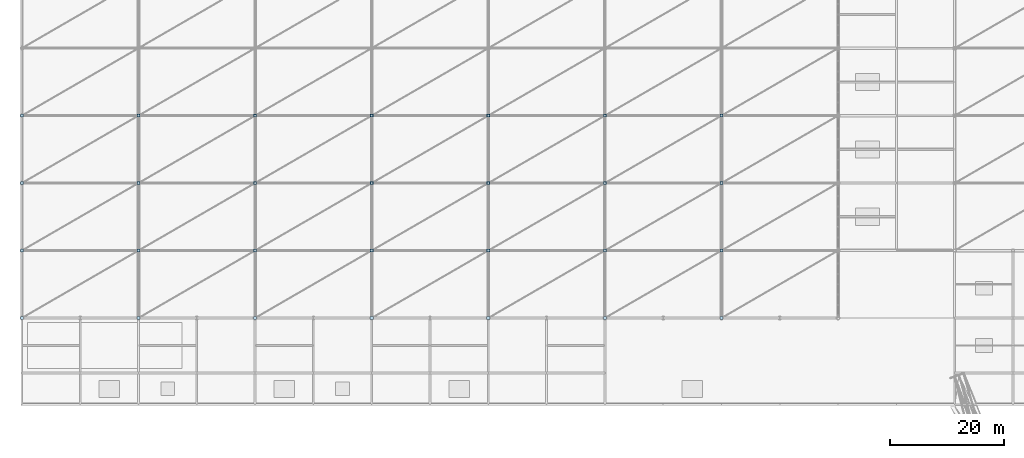
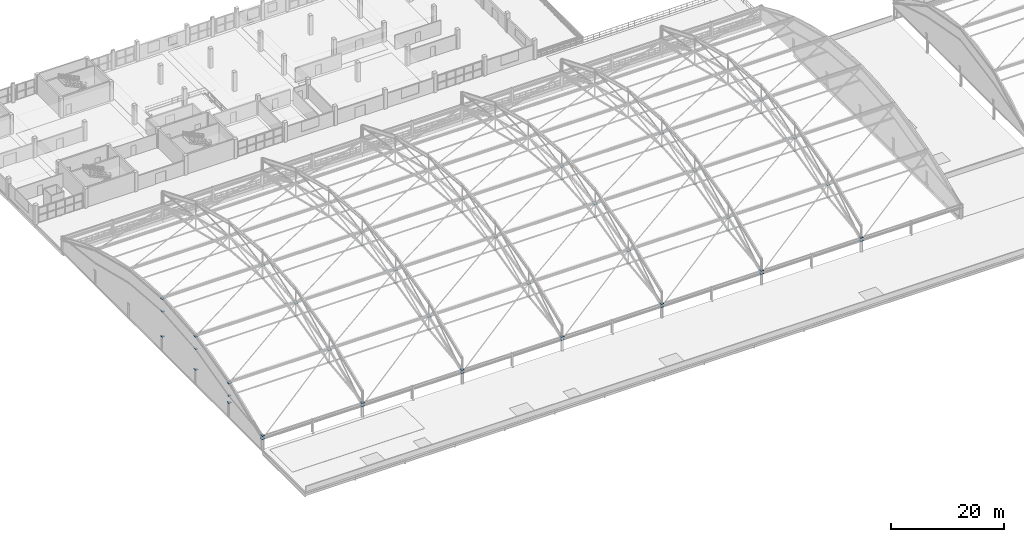
# One storey, part 117 of 135: 59 plates.
"""IFC4 building model written with IfcOpenShell, lengths in metres."""

from ifc_helpers import new_model, si_unit, direction, frame, origin, origin_2d, place, context, subcontext, project, spatial, rectangle, extrude, material, layer, layer_set, type_object, element, save


model = new_model("IFC4")

# Units and contexts
model_context = context("Model", 3, precision=1e-05, world=origin(), true_north=direction((0.0, 1.0)))
body_context = subcontext(model_context, "Body", "Model", "MODEL_VIEW")
ifc_project = project(units=[si_unit("LENGTHUNIT", "METRE"), si_unit("AREAUNIT", "SQUARE_METRE"), si_unit("VOLUMEUNIT", "CUBIC_METRE"), si_unit("PLANEANGLEUNIT", "RADIAN"), si_unit("MASSUNIT", "GRAM", prefix="KILO")], contexts=[model_context])

# Site, building, storey
site_placement = place(None, origin())
site = spatial("IfcSite", under=ifc_project, at=site_placement, CompositionType="ELEMENT")
building_placement = place(site_placement, origin())
building = spatial("IfcBuilding", under=site, at=building_placement, Name="Brelvane Convention Centre", CompositionType="ELEMENT")
storey_placement = place(building_placement, frame((0.0, 0.0, 15.0)))
storey = spatial("IfcBuildingStorey", under=building, at=storey_placement, Name="L03", CompositionType="ELEMENT", Elevation=15.0)

# Plates
ifc_material_1 = material(Name="Steel E450 (450 MPa)", Category="steel")
ifc_layer_1 = layer(ifc_material_1, 0.031982421875)
ifc_layer_set_1 = layer_set([ifc_layer_1], Name="Steel E450 (450 MPa)")
plate_type_1 = type_object("IfcPlateType", Name="Steel Node Gusset Plate ND-1", PredefinedType="SHEET", material=ifc_layer_set_1)
for number, where, z_axis, x_axis, name in (
    (1, (0.0, 28.800048828125, 2.98388671875), (0.0, 0.0, 1.0), (1.0, 0.0, 0.0), "Column Head Node Plate 1-D"),
    (2, (0.0, 40.60009765625, 2.98388671875), (0.0, 0.0, 1.0), (1.0, 0.0, 0.0), "Column Head Node Plate 1-E"),
    (3, (0.0, 52.39990234375, 2.98388671875), (0.0, 0.0, 1.0), (1.0, 0.0, 0.0), "Column Head Node Plate 1-F"),
    (4, (0.0, 64.199951171875, 2.98388671875), (0.0, 0.0, 1.0), (1.0, 0.0, 0.0), "Column Head Node Plate 1-G"),
    (5, (20.39990234375, 28.800048828125, 2.98388671875), (0.0, 0.0, 1.0), (1.0, 0.0, 0.0), "Column Head Node Plate 3-D"),
    (6, (40.800048828125, 28.800048828125, 2.98388671875), (0.0, 0.0, 1.0), (1.0, 0.0, 0.0), "Column Head Node Plate 5-D"),
    (7, (61.199951171875, 28.800048828125, 2.98388671875), (0.0, 0.0, 1.0), (1.0, 0.0, 0.0), "Column Head Node Plate 7-D"),
    (8, (81.60009765625, 28.800048828125, 2.98388671875), (0.0, 0.0, 1.0), (1.0, 0.0, 0.0), "Column Head Node Plate 9-D"),
    (9, (102.0, 28.800048828125, 2.98388671875), (0.0, 0.0, 1.0), (1.0, 0.0, 0.0), "Column Head Node Plate 11-D"),
    (10, (122.39990234375, 28.800048828125, 2.98388671875), (0.0, 0.0, 1.0), (1.0, 0.0, 0.0), "Column Head Node Plate 13-D"),
    (11, (0.0, 40.60009765625, 7.212890625), (0.0, 0.0, 1.0), (1.0, 0.0, 0.0), "SF_EXH Top Node Plate 1.1"),
    (12, (0.0, 52.39990234375, 10.14599609375), (0.0, 0.0, 1.0), (1.0, 0.0, 0.0), "SF_EXH Top Node Plate 1.2"),
    (13, (0.0, 64.199951171875, 11.1240234375), (0.0, 0.0, 1.0), (1.0, 0.0, 0.0), "SF_EXH Top Node Plate 1.3"),
    (14, (0.0, 28.800048828125, 2.32421875), (0.0, 0.0, 1.0), (1.0, 0.0, 0.0), "SF_EXH Eaves Node Plate 1-S"),
    (15, (20.39990234375, 40.60009765625, 7.212890625), (0.0, 0.0, 1.0), (1.0, 0.0, 0.0), "SF_EXH Top Node Plate 2.1"),
    (16, (20.39990234375, 52.39990234375, 10.14599609375), (0.0, 0.0, 1.0), (1.0, 0.0, 0.0), "SF_EXH Top Node Plate 2.2"),
    (17, (20.39990234375, 64.199951171875, 11.1240234375), (0.0, 0.0, 1.0), (1.0, 0.0, 0.0), "SF_EXH Top Node Plate 2.3"),
    (18, (20.39990234375, 28.800048828125, 2.32421875), (0.0, 0.0, 1.0), (1.0, 0.0, 0.0), "SF_EXH Eaves Node Plate 2-S"),
    (19, (40.800048828125, 40.60009765625, 7.212890625), (0.0, 0.0, 1.0), (1.0, 0.0, 0.0), "SF_EXH Top Node Plate 3.1"),
    (20, (40.800048828125, 52.39990234375, 10.14599609375), (0.0, 0.0, 1.0), (1.0, 0.0, 0.0), "SF_EXH Top Node Plate 3.2"),
    (21, (40.800048828125, 64.199951171875, 11.1240234375), (0.0, 0.0, 1.0), (1.0, 0.0, 0.0), "SF_EXH Top Node Plate 3.3"),
    (22, (40.800048828125, 28.800048828125, 2.32421875), (0.0, 0.0, 1.0), (1.0, 0.0, 0.0), "SF_EXH Eaves Node Plate 3-S"),
    (23, (61.199951171875, 40.60009765625, 7.212890625), (0.0, 0.0, 1.0), (1.0, 0.0, 0.0), "SF_EXH Top Node Plate 4.1"),
    (24, (61.199951171875, 52.39990234375, 10.14599609375), (0.0, 0.0, 1.0), (1.0, 0.0, 0.0), "SF_EXH Top Node Plate 4.2"),
    (25, (61.199951171875, 64.199951171875, 11.1240234375), (0.0, 0.0, 1.0), (1.0, 0.0, 0.0), "SF_EXH Top Node Plate 4.3"),
    (26, (61.199951171875, 28.800048828125, 2.32421875), (0.0, 0.0, 1.0), (1.0, 0.0, 0.0), "SF_EXH Eaves Node Plate 4-S"),
    (27, (81.60009765625, 40.60009765625, 7.212890625), (0.0, 0.0, 1.0), (1.0, 0.0, 0.0), "SF_EXH Top Node Plate 5.1"),
    (28, (81.60009765625, 52.39990234375, 10.14599609375), (0.0, 0.0, 1.0), (1.0, 0.0, 0.0), "SF_EXH Top Node Plate 5.2"),
    (29, (81.60009765625, 64.199951171875, 11.1240234375), (0.0, 0.0, 1.0), (1.0, 0.0, 0.0), "SF_EXH Top Node Plate 5.3"),
    (30, (81.60009765625, 28.800048828125, 2.32421875), (0.0, 0.0, 1.0), (1.0, 0.0, 0.0), "SF_EXH Eaves Node Plate 5-S"),
    (31, (102.0, 40.60009765625, 7.212890625), (0.0, 0.0, 1.0), (1.0, 0.0, 0.0), "SF_EXH Top Node Plate 6.1"),
    (32, (102.0, 52.39990234375, 10.14599609375), (0.0, 0.0, 1.0), (1.0, 0.0, 0.0), "SF_EXH Top Node Plate 6.2"),
    (33, (102.0, 64.199951171875, 11.1240234375), (0.0, 0.0, 1.0), (1.0, 0.0, 0.0), "SF_EXH Top Node Plate 6.3"),
    (34, (102.0, 28.800048828125, 2.32421875), (0.0, 0.0, 1.0), (1.0, 0.0, 0.0), "SF_EXH Eaves Node Plate 6-S"),
    (35, (122.39990234375, 40.60009765625, 7.212890625), (0.0, 0.0, 1.0), (1.0, 0.0, 0.0), "SF_EXH Top Node Plate 7.1"),
    (36, (122.39990234375, 52.39990234375, 10.14599609375), (0.0, 0.0, 1.0), (1.0, 0.0, 0.0), "SF_EXH Top Node Plate 7.2"),
    (37, (122.39990234375, 64.199951171875, 11.1240234375), (0.0, 0.0, 1.0), (1.0, 0.0, 0.0), "SF_EXH Top Node Plate 7.3"),
    (38, (122.39990234375, 28.800048828125, 2.32421875), (0.0, 0.0, 1.0), (1.0, 0.0, 0.0), "SF_EXH Eaves Node Plate 7-S"),
):
    element("IfcPlate", number, at=place(storey_placement, frame(where, z_axis=z_axis, x_axis=x_axis)), inside=storey, type_object=plate_type_1, Name=name, PredefinedType="SHEET", context=body_context, shape_type="SweptSolid", body=[
        extrude(rectangle(XDim=0.56005859375, YDim=0.56005859375, at=origin_2d()), origin(), (0.0, 0.0, 1.0), 0.031982421875),
    ])
ifc_material_2 = material(Name="Steel E450 (450 MPa)", Category="steel")
ifc_layer_2 = layer(ifc_material_2, 0.028076171875)
ifc_layer_set_2 = layer_set([ifc_layer_2], Name="Steel E450 (450 MPa)")
plate_type_2 = type_object("IfcPlateType", Name="Steel Node Gusset Plate ND-2", PredefinedType="SHEET", material=ifc_layer_set_2)
for number, where, z_axis, x_axis, name in (
    (39, (0.0, 40.60009765625, 4.47509765625), (0.0, 0.0, 1.0), (1.0, 0.0, 0.0), "SF_EXH Bottom Node Plate 1.1"),
    (40, (0.0, 52.39990234375, 7.408203125), (0.0, 0.0, 1.0), (1.0, 0.0, 0.0), "SF_EXH Bottom Node Plate 1.2"),
    (41, (0.0, 64.199951171875, 8.3857421875), (0.0, 0.0, 1.0), (1.0, 0.0, 0.0), "SF_EXH Bottom Node Plate 1.3"),
    (42, (20.39990234375, 40.60009765625, 4.47509765625), (0.0, 0.0, 1.0), (1.0, 0.0, 0.0), "SF_EXH Bottom Node Plate 2.1"),
    (43, (20.39990234375, 52.39990234375, 7.408203125), (0.0, 0.0, 1.0), (1.0, 0.0, 0.0), "SF_EXH Bottom Node Plate 2.2"),
    (44, (20.39990234375, 64.199951171875, 8.3857421875), (0.0, 0.0, 1.0), (1.0, 0.0, 0.0), "SF_EXH Bottom Node Plate 2.3"),
    (45, (40.800048828125, 40.60009765625, 4.47509765625), (0.0, 0.0, 1.0), (1.0, 0.0, 0.0), "SF_EXH Bottom Node Plate 3.1"),
    (46, (40.800048828125, 52.39990234375, 7.408203125), (0.0, 0.0, 1.0), (1.0, 0.0, 0.0), "SF_EXH Bottom Node Plate 3.2"),
    (47, (40.800048828125, 64.199951171875, 8.3857421875), (0.0, 0.0, 1.0), (1.0, 0.0, 0.0), "SF_EXH Bottom Node Plate 3.3"),
    (48, (61.199951171875, 40.60009765625, 4.47509765625), (0.0, 0.0, 1.0), (1.0, 0.0, 0.0), "SF_EXH Bottom Node Plate 4.1"),
    (49, (61.199951171875, 52.39990234375, 7.408203125), (0.0, 0.0, 1.0), (1.0, 0.0, 0.0), "SF_EXH Bottom Node Plate 4.2"),
    (50, (61.199951171875, 64.199951171875, 8.3857421875), (0.0, 0.0, 1.0), (1.0, 0.0, 0.0), "SF_EXH Bottom Node Plate 4.3"),
    (51, (81.60009765625, 40.60009765625, 4.47509765625), (0.0, 0.0, 1.0), (1.0, 0.0, 0.0), "SF_EXH Bottom Node Plate 5.1"),
    (52, (81.60009765625, 52.39990234375, 7.408203125), (0.0, 0.0, 1.0), (1.0, 0.0, 0.0), "SF_EXH Bottom Node Plate 5.2"),
    (53, (81.60009765625, 64.199951171875, 8.3857421875), (0.0, 0.0, 1.0), (1.0, 0.0, 0.0), "SF_EXH Bottom Node Plate 5.3"),
    (54, (102.0, 40.60009765625, 4.47509765625), (0.0, 0.0, 1.0), (1.0, 0.0, 0.0), "SF_EXH Bottom Node Plate 6.1"),
    (55, (102.0, 52.39990234375, 7.408203125), (0.0, 0.0, 1.0), (1.0, 0.0, 0.0), "SF_EXH Bottom Node Plate 6.2"),
    (56, (102.0, 64.199951171875, 8.3857421875), (0.0, 0.0, 1.0), (1.0, 0.0, 0.0), "SF_EXH Bottom Node Plate 6.3"),
    (57, (122.39990234375, 40.60009765625, 4.47509765625), (0.0, 0.0, 1.0), (1.0, 0.0, 0.0), "SF_EXH Bottom Node Plate 7.1"),
    (58, (122.39990234375, 52.39990234375, 7.408203125), (0.0, 0.0, 1.0), (1.0, 0.0, 0.0), "SF_EXH Bottom Node Plate 7.2"),
    (59, (122.39990234375, 64.199951171875, 8.3857421875), (0.0, 0.0, 1.0), (1.0, 0.0, 0.0), "SF_EXH Bottom Node Plate 7.3"),
):
    element("IfcPlate", number, at=place(storey_placement, frame(where, z_axis=z_axis, x_axis=x_axis)), inside=storey, type_object=plate_type_2, Name=name, PredefinedType="SHEET", context=body_context, shape_type="SweptSolid", body=[
        extrude(rectangle(XDim=0.4599609375, YDim=0.4599609375, at=origin_2d()), origin(), (0.0, 0.0, 1.0), 0.028076171875),
    ])

save(model, "model.ifc")
